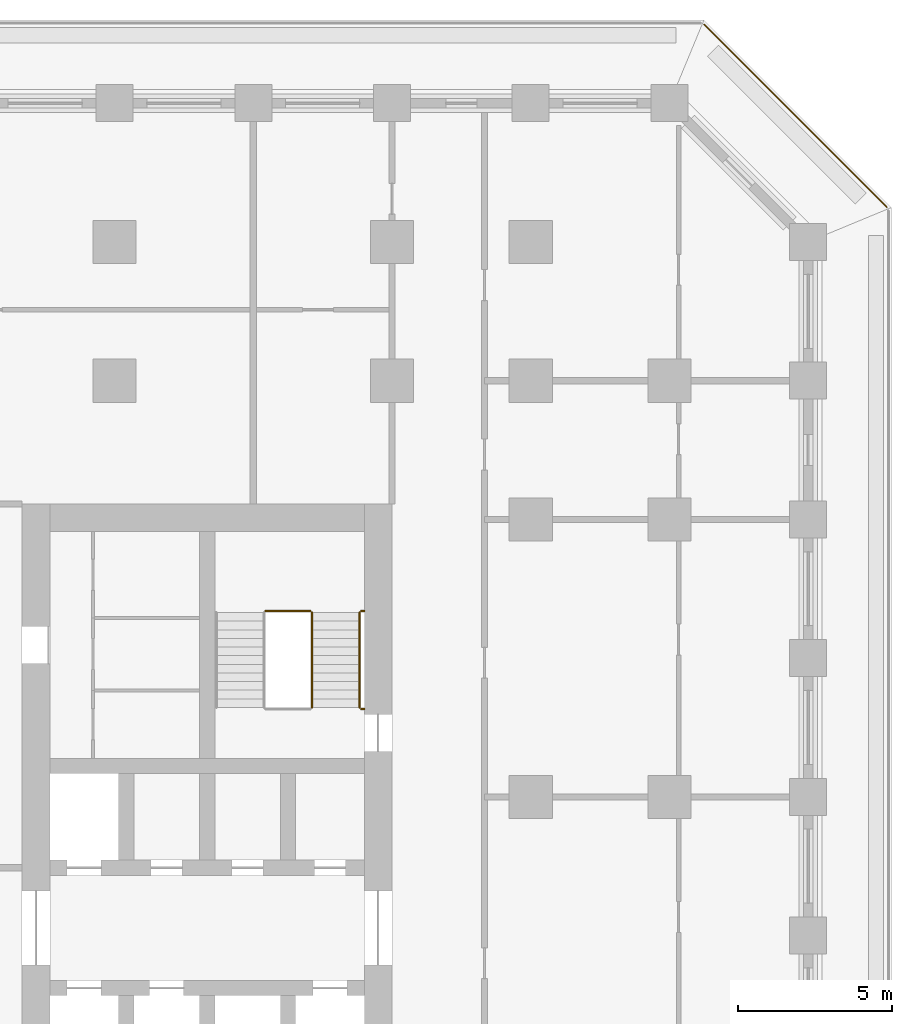
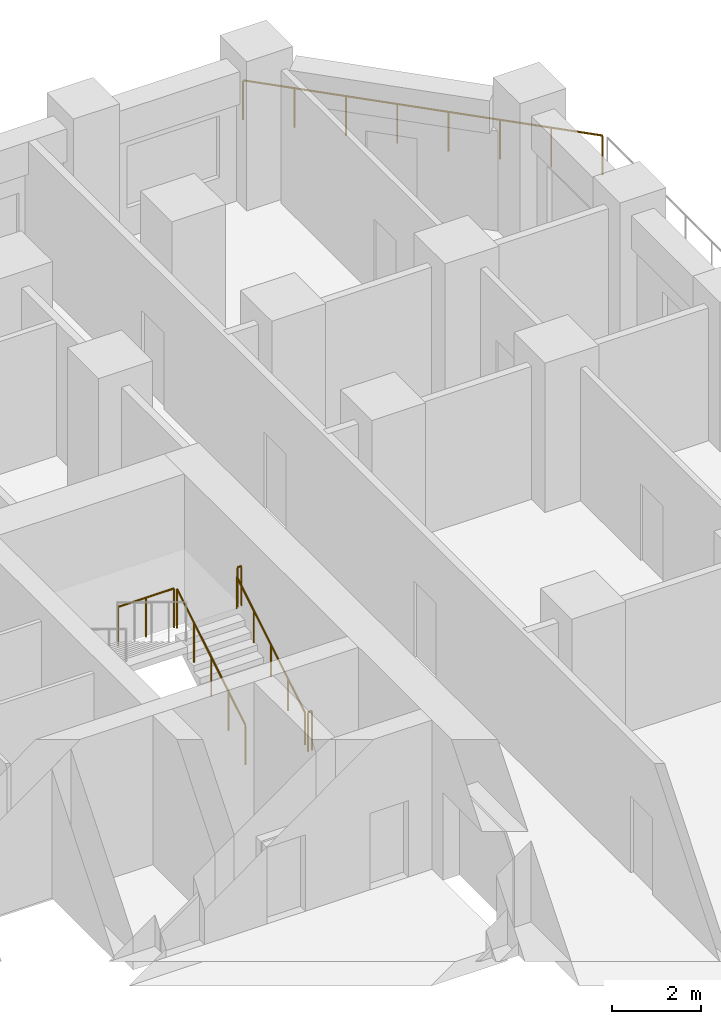
# One storey, part 16 of 17: 6 railings.
"""IFC4 building model written with IfcOpenShell, lengths in metres."""

from ifc_helpers import new_model, si_unit, direction, frame, origin, origin_2d, place, context, subcontext, project, spatial, circle, extrude, material, type_object, element, save


model = new_model("IFC4")

# Units and contexts
model_context = context("Model", 3, precision=1e-05, world=origin(), true_north=direction((0.0, 1.0)))
body_context = subcontext(model_context, "Body", "Model", "MODEL_VIEW")
ifc_project = project(units=[si_unit("LENGTHUNIT", "METRE"), si_unit("AREAUNIT", "SQUARE_METRE"), si_unit("VOLUMEUNIT", "CUBIC_METRE"), si_unit("PLANEANGLEUNIT", "RADIAN"), si_unit("MASSUNIT", "GRAM", prefix="KILO")], contexts=[model_context])

# Site, building, storey
site_placement = place(None, origin())
site = spatial("IfcSite", under=ifc_project, at=site_placement, CompositionType="ELEMENT")
building_placement = place(site_placement, origin())
building = spatial("IfcBuilding", under=site, at=building_placement, Name="Corbel Stack Research Tower", CompositionType="ELEMENT")
storey_placement = place(building_placement, frame((0.0, 0.0, 86.10009765625)))
storey = spatial("IfcBuildingStorey", under=building, at=storey_placement, Name="L19", CompositionType="ELEMENT", Elevation=86.10009765625)

# Railings
ifc_material_1 = material(Name="Steel S355", Category="steel")
railing_type_1 = type_object("IfcRailingType", Name="Stair guard 1100", PredefinedType="GUARDRAIL", material=ifc_material_1)
railing_1_placement = place(storey_placement, frame((15.39990234375, 11.89990234375, 0.170654296875)))
element("IfcRailing", 1, at=railing_1_placement, inside=storey, type_object=railing_type_1, Name="L19 ST-E2 stair guard 1", PredefinedType="GUARDRAIL", context=body_context, shape_type="SweptSolid", body=[
    extrude(circle(Radius=0.02392578125, at=origin_2d()), frame((0.0, 0.0, 1.076171875), z_axis=(0.0, 0.853666305674, 0.52082035152), x_axis=(-1.0, 0.0, 0.0)), (0.0, 0.0, 1.0), 3.608154296875),
    extrude(circle(Radius=0.02099609375, at=origin_2d()), origin(), (0.0, 0.0, 1.0), 1.052001953125),
    extrude(circle(Radius=0.02099609375, at=origin_2d()), frame((0.0, 0.77001953125, 0.4697265625)), (0.0, 0.0, 1.0), 1.052001953125),
    extrude(circle(Radius=0.02099609375, at=origin_2d()), frame((0.0, 1.5400390625, 0.939453125)), (0.0, 0.0, 1.0), 1.052001953125),
    extrude(circle(Radius=0.02099609375, at=origin_2d()), frame((0.0, 2.31005859375, 1.409423828125)), (0.0, 0.0, 1.0), 1.052001953125),
    extrude(circle(Radius=0.02099609375, at=origin_2d()), frame((0.0, 3.080078125, 1.879150390625)), (0.0, 0.0, 1.0), 1.052001953125),
])
railing_2_placement = place(storey_placement, frame((15.35009765625, 15.030029296875, 2.0498046875)))
element("IfcRailing", 2, at=railing_2_placement, inside=storey, type_object=railing_type_1, Name="L19 ST-E2 stair guard 2", PredefinedType="GUARDRAIL", context=body_context, shape_type="SweptSolid", body=[
    extrude(circle(Radius=0.02392578125, at=origin_2d()), frame((0.0, 0.0, 1.076171875), z_axis=(-1.0, 0.0, 0.0), x_axis=(0.0, -1.0, 0.0)), (0.0, 0.0, 1.0), 1.4501953125),
    extrude(circle(Radius=0.02099609375, at=origin_2d()), origin(), (0.0, 0.0, 1.0), 1.052001953125),
    extrude(circle(Radius=0.02099609375, at=origin_2d()), frame((-0.72509765625, 0.0, 0.0)), (0.0, 0.0, 1.0), 1.052001953125),
    extrude(circle(Radius=0.02099609375, at=origin_2d()), frame((-1.4501953125, 0.0, 0.0)), (0.0, 0.0, 1.0), 1.052001953125),
])
for number, where, name in (
    (3, (17.10009765625, 15.030029296875, 2.0498046875), "L19 ST-E2 stair guard 3"),
    (4, (17.10009765625, 11.85009765625, 0.0), "L19 ST-E2 stair guard 6"),
):
    element("IfcRailing", number, at=place(storey_placement, frame(where)), inside=storey, type_object=railing_type_1, Name=name, PredefinedType="GUARDRAIL", context=body_context, shape_type="SweptSolid", body=[
        extrude(circle(Radius=0.02392578125, at=origin_2d()), frame((0.0, 0.0, 1.076171875), z_axis=(-1.0, 0.0, 0.0), x_axis=(0.0, -1.0, 0.0)), (0.0, 0.0, 1.0), 0.10009765625),
        extrude(circle(Radius=0.02099609375, at=origin_2d()), origin(), (0.0, 0.0, 1.0), 1.052001953125),
        extrude(circle(Radius=0.02099609375, at=origin_2d()), frame((-0.10009765625, 0.0, 0.0)), (0.0, 0.0, 1.0), 1.052001953125),
    ])
ifc_material_2 = material(Name="Steel S355", Category="steel")
railing_type_2 = type_object("IfcRailingType", Name="Stair handrail 900", PredefinedType="HANDRAIL", material=ifc_material_2)
railing_3_placement = place(storey_placement, frame((16.949951171875, 11.89990234375, 0.170654296875)))
element("IfcRailing", 5, at=railing_3_placement, inside=storey, type_object=railing_type_2, Name="L19 ST-E2 stair handrail 1", PredefinedType="HANDRAIL", context=body_context, shape_type="SweptSolid", body=[
    extrude(circle(Radius=0.02392578125, at=origin_2d()), frame((0.0, 0.0, 0.8759765625), z_axis=(0.0, 0.853666305674, 0.52082035152), x_axis=(-1.0, 0.0, 0.0)), (0.0, 0.0, 1.0), 3.608154296875),
    extrude(circle(Radius=0.02099609375, at=origin_2d()), origin(), (0.0, 0.0, 1.0), 0.851806640625),
    extrude(circle(Radius=0.02099609375, at=origin_2d()), frame((0.0, 0.77001953125, 0.4697265625)), (0.0, 0.0, 1.0), 0.851806640625),
    extrude(circle(Radius=0.02099609375, at=origin_2d()), frame((0.0, 1.5400390625, 0.939453125)), (0.0, 0.0, 1.0), 0.851806640625),
    extrude(circle(Radius=0.02099609375, at=origin_2d()), frame((0.0, 2.31005859375, 1.409423828125)), (0.0, 0.0, 1.0), 0.851806640625),
    extrude(circle(Radius=0.02099609375, at=origin_2d()), frame((0.0, 3.080078125, 1.879150390625)), (0.0, 0.0, 1.0), 0.851806640625),
])
ifc_material_3 = material(Name="Powder-coated steel guard", Category="steel")
railing_type_3 = type_object("IfcRailingType", Name="Steel and glass guard 1100", PredefinedType="GUARDRAIL", material=ifc_material_3)
railing_4_placement = place(storey_placement, frame((34.04931640625, 28.127685546875, 0.0)))
element("IfcRailing", 6, at=railing_4_placement, inside=storey, type_object=railing_type_3, Name="Loggia guard L19 NE", PredefinedType="GUARDRAIL", context=body_context, shape_type="SweptSolid", body=[
    extrude(circle(Radius=0.02392578125, at=origin_2d()), frame((0.0, 0.0, 1.076171875), z_axis=(-0.707106781187, 0.707106781187, 0.0), x_axis=(-0.707106781187, -0.707106781187, 0.0)), (0.0, 0.0, 1.0), 8.37451171875),
    extrude(circle(Radius=0.02099609375, at=origin_2d()), origin(), (0.0, 0.0, 1.0), 1.052001953125),
    extrude(circle(Radius=0.02099609375, at=origin_2d()), frame((-0.845947265625, 0.845947265625, 0.0)), (0.0, 0.0, 1.0), 1.052001953125),
    extrude(circle(Radius=0.02099609375, at=origin_2d()), frame((-1.69189453125, 1.69189453125, 0.0)), (0.0, 0.0, 1.0), 1.052001953125),
    extrude(circle(Radius=0.02099609375, at=origin_2d()), frame((-2.537841796875, 2.537841796875, 0.0)), (0.0, 0.0, 1.0), 1.052001953125),
    extrude(circle(Radius=0.02099609375, at=origin_2d()), frame((-3.3837890625, 3.3837890625, 0.0)), (0.0, 0.0, 1.0), 1.052001953125),
    extrude(circle(Radius=0.02099609375, at=origin_2d()), frame((-4.229736328125, 4.229736328125, 0.0)), (0.0, 0.0, 1.0), 1.052001953125),
    extrude(circle(Radius=0.02099609375, at=origin_2d()), frame((-5.07568359375, 5.07568359375, 0.0)), (0.0, 0.0, 1.0), 1.052001953125),
    extrude(circle(Radius=0.02099609375, at=origin_2d()), frame((-5.921630859375, 5.921630859375, 0.0)), (0.0, 0.0, 1.0), 1.052001953125),
])

save(model, "model.ifc")
